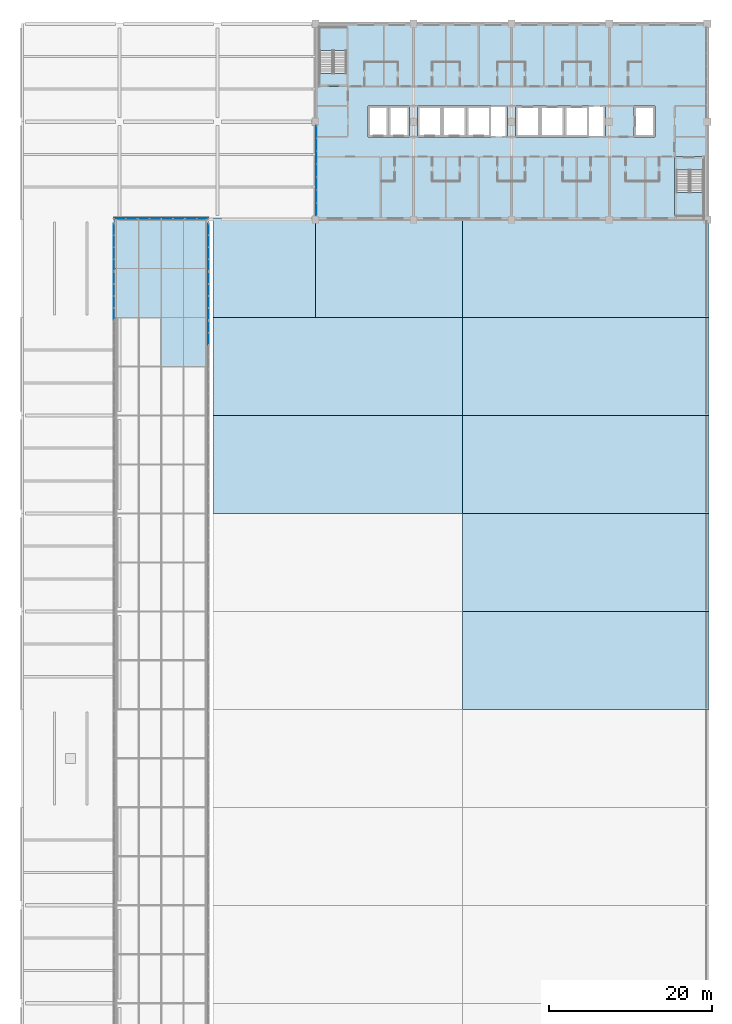
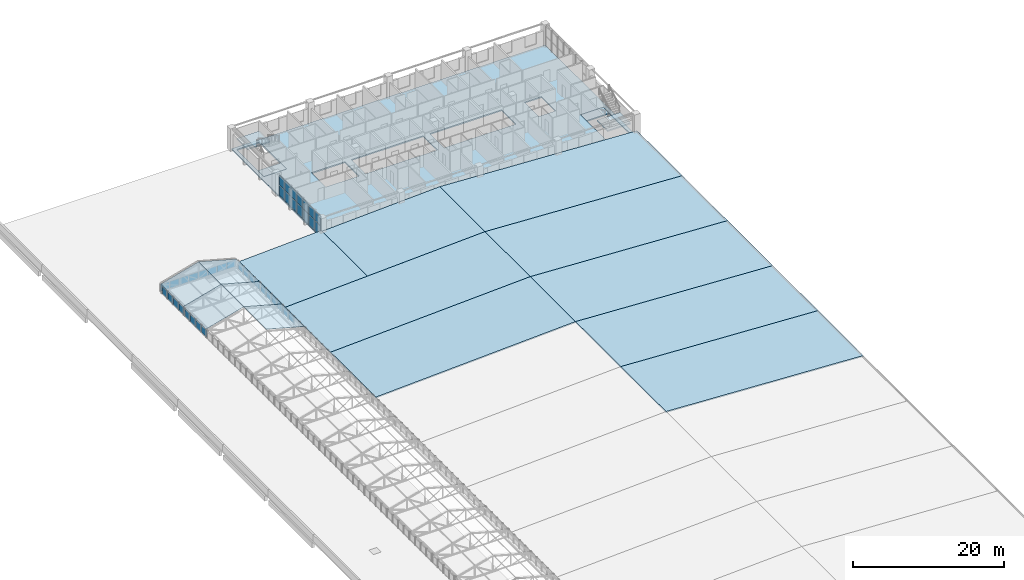
# One storey, part 84 of 94: 40 plates, 19 slabs, 9 elements without a shape of their own.
"""IFC4 building model written with IfcOpenShell, lengths in metres."""

from ifc_helpers import new_model, si_unit, direction, frame, origin, origin_2d, place, context, subcontext, project, spatial, polyline, rectangle, outline, extrude, material, layer, layer_set, type_object, element, aggregate, save


model = new_model("IFC4")

# Units and contexts
model_context = context("Model", 3, precision=1e-05, world=origin(), true_north=direction((0.0, 1.0)))
body_context = subcontext(model_context, "Body", "Model", "MODEL_VIEW")
ifc_project = project(units=[si_unit("LENGTHUNIT", "METRE"), si_unit("AREAUNIT", "SQUARE_METRE"), si_unit("VOLUMEUNIT", "CUBIC_METRE"), si_unit("PLANEANGLEUNIT", "RADIAN"), si_unit("MASSUNIT", "GRAM", prefix="KILO")], contexts=[model_context])

# Site, building, storey
site_placement = place(None, origin())
site = spatial("IfcSite", under=ifc_project, at=site_placement, CompositionType="ELEMENT")
building_placement = place(site_placement, origin())
building = spatial("IfcBuilding", under=site, at=building_placement, Name="Lilac Gate Convention Centre", CompositionType="ELEMENT")
storey_placement = place(building_placement, frame((0.0, 0.0, 21.0)))
storey = spatial("IfcBuildingStorey", under=building, at=storey_placement, Name="L04", CompositionType="ELEMENT", Elevation=21.0)

# Curtain wall, plates
ifc_material_1 = material(Name="Aluminium framed double glazing", Category="aluminium")
ifc_layer_1 = layer(ifc_material_1, 0.199951171875)
ifc_layer_set_1 = layer_set([ifc_layer_1], Name="Aluminium framed double glazing")
curtain_wall_type = type_object("IfcCurtainWallType", Name="Unitised curtain wall 1500", PredefinedType="NOTDEFINED", material=ifc_layer_set_1)
curtain_wall_1_placement = place(storey_placement, origin())
curtain_wall_1 = element("IfcCurtainWall", 1, at=curtain_wall_1_placement, inside=storey, type_object=curtain_wall_type, Name="Curtain wall W L04 2", PredefinedType="NOTDEFINED")
ifc_material_2 = material(Name="Double glazed unit low emissivity")
ifc_layer_2 = layer(ifc_material_2, 0.028076171875)
ifc_layer_set_2 = layer_set([ifc_layer_2], Name="Double glazed unit low emissivity")
plate_type_1 = type_object("IfcPlateType", Name="Curtain wall glass panel 28", PredefinedType="CURTAIN_PANEL", material=ifc_layer_set_2)
plate_1_placement = place(storey_placement, frame((42.10009765625, 232.7421875, 1.72998046875), z_axis=(0.0, 0.0, 1.0), x_axis=(0.0, -1.0, 0.0)))
plate_1 = element("IfcPlate", 2, at=plate_1_placement, type_object=plate_type_1, Name="CW panel 1.2", PredefinedType="CURTAIN_PANEL", context=body_context, shape_type="SweptSolid", body=[
    extrude(rectangle(XDim=1.495849609375, YDim=0.028076171875, at=origin_2d()), origin(), (0.0, 0.0, 1.0), 1.60986328125),
])
plate_2_placement = place(storey_placement, frame((42.10009765625, 231.17138671875, 1.72998046875), z_axis=(0.0, 0.0, 1.0), x_axis=(0.0, -1.0, 0.0)))
plate_2 = element("IfcPlate", 3, at=plate_2_placement, type_object=plate_type_1, Name="CW panel 2.2", PredefinedType="CURTAIN_PANEL", context=body_context, shape_type="SweptSolid", body=[
    extrude(rectangle(XDim=1.525634765625, YDim=0.028076171875, at=origin_2d()), origin(), (0.0, 0.0, 1.0), 1.60986328125),
])
plate_3_placement = place(storey_placement, frame((42.10009765625, 229.585693359375, 1.72998046875), z_axis=(0.0, 0.0, 1.0), x_axis=(0.0, -1.0, 0.0)))
plate_3 = element("IfcPlate", 4, at=plate_3_placement, type_object=plate_type_1, Name="CW panel 3.2", PredefinedType="CURTAIN_PANEL", context=body_context, shape_type="SweptSolid", body=[
    extrude(rectangle(XDim=1.525634765625, YDim=0.028076171875, at=origin_2d()), origin(), (0.0, 0.0, 1.0), 1.60986328125),
])
plate_4_placement = place(storey_placement, frame((42.10009765625, 228.0, 1.72998046875), z_axis=(0.0, 0.0, 1.0), x_axis=(0.0, -1.0, 0.0)))
plate_4 = element("IfcPlate", 5, at=plate_4_placement, type_object=plate_type_1, Name="CW panel 4.2", PredefinedType="CURTAIN_PANEL", context=body_context, shape_type="SweptSolid", body=[
    extrude(rectangle(XDim=1.525634765625, YDim=0.028076171875, at=origin_2d()), origin(), (0.0, 0.0, 1.0), 1.60986328125),
])
plate_5_placement = place(storey_placement, frame((42.10009765625, 226.414306640625, 1.72998046875), z_axis=(0.0, 0.0, 1.0), x_axis=(0.0, -1.0, 0.0)))
plate_5 = element("IfcPlate", 6, at=plate_5_placement, type_object=plate_type_1, Name="CW panel 5.2", PredefinedType="CURTAIN_PANEL", context=body_context, shape_type="SweptSolid", body=[
    extrude(rectangle(XDim=1.525634765625, YDim=0.028076171875, at=origin_2d()), origin(), (0.0, 0.0, 1.0), 1.60986328125),
])
plate_6_placement = place(storey_placement, frame((42.10009765625, 224.82861328125, 1.72998046875), z_axis=(0.0, 0.0, 1.0), x_axis=(0.0, -1.0, 0.0)))
plate_6 = element("IfcPlate", 7, at=plate_6_placement, type_object=plate_type_1, Name="CW panel 6.2", PredefinedType="CURTAIN_PANEL", context=body_context, shape_type="SweptSolid", body=[
    extrude(rectangle(XDim=1.525634765625, YDim=0.028076171875, at=origin_2d()), origin(), (0.0, 0.0, 1.0), 1.60986328125),
])
plate_7_placement = place(storey_placement, frame((42.10009765625, 223.2578125, 1.72998046875), z_axis=(0.0, 0.0, 1.0), x_axis=(0.0, -1.0, 0.0)))
plate_7 = element("IfcPlate", 8, at=plate_7_placement, type_object=plate_type_1, Name="CW panel 7.2", PredefinedType="CURTAIN_PANEL", context=body_context, shape_type="SweptSolid", body=[
    extrude(rectangle(XDim=1.495849609375, YDim=0.028076171875, at=origin_2d()), origin(), (0.0, 0.0, 1.0), 1.60986328125),
])

curtain_wall_2_placement = place(storey_placement, origin())
curtain_wall_2 = element("IfcCurtainWall", 9, at=curtain_wall_2_placement, inside=storey, type_object=curtain_wall_type, Name="Lantern clerestory W 31", PredefinedType="NOTDEFINED")
plate_8_placement = place(storey_placement, frame((17.300048828125, 210.44921875, 0.06005859375), z_axis=(0.0, 0.0, 1.0), x_axis=(0.0, 1.0, 0.0)))
plate_8 = element("IfcPlate", 10, at=plate_8_placement, type_object=plate_type_1, Name="CW panel 1.1", PredefinedType="CURTAIN_PANEL", context=body_context, shape_type="SweptSolid", body=[
    extrude(rectangle(XDim=1.378662109375, YDim=0.028076171875, at=origin_2d()), origin(), (0.0, 0.0, 1.0), 1.152099609375),
])
plate_9_placement = place(storey_placement, frame((17.300048828125, 211.903076171875, 0.06005859375), z_axis=(0.0, 0.0, 1.0), x_axis=(0.0, 1.0, 0.0)))
plate_9 = element("IfcPlate", 11, at=plate_9_placement, type_object=plate_type_1, Name="CW panel 2.1", PredefinedType="CURTAIN_PANEL", context=body_context, shape_type="SweptSolid", body=[
    extrude(rectangle(XDim=1.40869140625, YDim=0.028076171875, at=origin_2d()), origin(), (0.0, 0.0, 1.0), 1.152099609375),
])
plate_10_placement = place(storey_placement, frame((17.300048828125, 213.371826171875, 0.06005859375), z_axis=(0.0, 0.0, 1.0), x_axis=(0.0, 1.0, 0.0)))
plate_10 = element("IfcPlate", 12, at=plate_10_placement, type_object=plate_type_1, Name="CW panel 3.1", PredefinedType="CURTAIN_PANEL", context=body_context, shape_type="SweptSolid", body=[
    extrude(rectangle(XDim=1.40869140625, YDim=0.028076171875, at=origin_2d()), origin(), (0.0, 0.0, 1.0), 1.152099609375),
])
plate_11_placement = place(storey_placement, frame((17.300048828125, 214.82568359375, 0.06005859375), z_axis=(0.0, 0.0, 1.0), x_axis=(0.0, 1.0, 0.0)))
plate_11 = element("IfcPlate", 13, at=plate_11_placement, type_object=plate_type_1, Name="CW panel 4.1", PredefinedType="CURTAIN_PANEL", context=body_context, shape_type="SweptSolid", body=[
    extrude(rectangle(XDim=1.378662109375, YDim=0.028076171875, at=origin_2d()), origin(), (0.0, 0.0, 1.0), 1.152099609375),
])
aggregate(curtain_wall_2, [plate_8, plate_9, plate_10, plate_11])

curtain_wall_3_placement = place(storey_placement, origin())
curtain_wall_3 = element("IfcCurtainWall", 14, at=curtain_wall_3_placement, inside=storey, type_object=curtain_wall_type, Name="Lantern clerestory W 32", PredefinedType="NOTDEFINED")
plate_12_placement = place(storey_placement, frame((17.300048828125, 216.42431640625, 0.06005859375), z_axis=(0.0, 0.0, 1.0), x_axis=(0.0, 1.0, 0.0)))
plate_12 = element("IfcPlate", 15, at=plate_12_placement, type_object=plate_type_1, Name="CW panel 1.1", PredefinedType="CURTAIN_PANEL", context=body_context, shape_type="SweptSolid", body=[
    extrude(rectangle(XDim=1.378662109375, YDim=0.028076171875, at=origin_2d()), origin(), (0.0, 0.0, 1.0), 1.152099609375),
])
plate_13_placement = place(storey_placement, frame((17.300048828125, 217.878173828125, 0.06005859375), z_axis=(0.0, 0.0, 1.0), x_axis=(0.0, 1.0, 0.0)))
plate_13 = element("IfcPlate", 16, at=plate_13_placement, type_object=plate_type_1, Name="CW panel 2.1", PredefinedType="CURTAIN_PANEL", context=body_context, shape_type="SweptSolid", body=[
    extrude(rectangle(XDim=1.40869140625, YDim=0.028076171875, at=origin_2d()), origin(), (0.0, 0.0, 1.0), 1.152099609375),
])
plate_14_placement = place(storey_placement, frame((17.300048828125, 219.346923828125, 0.06005859375), z_axis=(0.0, 0.0, 1.0), x_axis=(0.0, 1.0, 0.0)))
plate_14 = element("IfcPlate", 17, at=plate_14_placement, type_object=plate_type_1, Name="CW panel 3.1", PredefinedType="CURTAIN_PANEL", context=body_context, shape_type="SweptSolid", body=[
    extrude(rectangle(XDim=1.40869140625, YDim=0.028076171875, at=origin_2d()), origin(), (0.0, 0.0, 1.0), 1.152099609375),
])
plate_15_placement = place(storey_placement, frame((17.300048828125, 220.80078125, 0.06005859375), z_axis=(0.0, 0.0, 1.0), x_axis=(0.0, 1.0, 0.0)))
plate_15 = element("IfcPlate", 18, at=plate_15_placement, type_object=plate_type_1, Name="CW panel 4.1", PredefinedType="CURTAIN_PANEL", context=body_context, shape_type="SweptSolid", body=[
    extrude(rectangle(XDim=1.378662109375, YDim=0.028076171875, at=origin_2d()), origin(), (0.0, 0.0, 1.0), 1.152099609375),
])
aggregate(curtain_wall_3, [plate_12, plate_13, plate_14, plate_15])

curtain_wall_4_placement = place(storey_placement, origin())
curtain_wall_4 = element("IfcCurtainWall", 19, at=curtain_wall_4_placement, inside=storey, type_object=curtain_wall_type, Name="Lantern clerestory E 30", PredefinedType="NOTDEFINED")
plate_16_placement = place(storey_placement, frame((28.89990234375, 207.39697265625, 0.06005859375), z_axis=(0.0, 0.0, 1.0), x_axis=(0.0, 1.0, 0.0)))
plate_16 = element("IfcPlate", 20, at=plate_16_placement, type_object=plate_type_1, Name="CW panel 3.1", PredefinedType="CURTAIN_PANEL", context=body_context, shape_type="SweptSolid", body=[
    extrude(rectangle(XDim=1.40869140625, YDim=0.028076171875, at=origin_2d()), origin(), (0.0, 0.0, 1.0), 1.152099609375),
])
plate_17_placement = place(storey_placement, frame((28.89990234375, 208.850830078125, 0.06005859375), z_axis=(0.0, 0.0, 1.0), x_axis=(0.0, 1.0, 0.0)))
plate_17 = element("IfcPlate", 21, at=plate_17_placement, type_object=plate_type_1, Name="CW panel 4.1", PredefinedType="CURTAIN_PANEL", context=body_context, shape_type="SweptSolid", body=[
    extrude(rectangle(XDim=1.378662109375, YDim=0.028076171875, at=origin_2d()), origin(), (0.0, 0.0, 1.0), 1.152099609375),
])
aggregate(curtain_wall_4, [plate_16, plate_17])

curtain_wall_5_placement = place(storey_placement, origin())
curtain_wall_5 = element("IfcCurtainWall", 22, at=curtain_wall_5_placement, inside=storey, type_object=curtain_wall_type, Name="Lantern clerestory E 31", PredefinedType="NOTDEFINED")
plate_18_placement = place(storey_placement, frame((28.89990234375, 210.44921875, 0.06005859375), z_axis=(0.0, 0.0, 1.0), x_axis=(0.0, 1.0, 0.0)))
plate_18 = element("IfcPlate", 23, at=plate_18_placement, type_object=plate_type_1, Name="CW panel 1.1", PredefinedType="CURTAIN_PANEL", context=body_context, shape_type="SweptSolid", body=[
    extrude(rectangle(XDim=1.378662109375, YDim=0.028076171875, at=origin_2d()), origin(), (0.0, 0.0, 1.0), 1.152099609375),
])
plate_19_placement = place(storey_placement, frame((28.89990234375, 211.903076171875, 0.06005859375), z_axis=(0.0, 0.0, 1.0), x_axis=(0.0, 1.0, 0.0)))
plate_19 = element("IfcPlate", 24, at=plate_19_placement, type_object=plate_type_1, Name="CW panel 2.1", PredefinedType="CURTAIN_PANEL", context=body_context, shape_type="SweptSolid", body=[
    extrude(rectangle(XDim=1.40869140625, YDim=0.028076171875, at=origin_2d()), origin(), (0.0, 0.0, 1.0), 1.152099609375),
])
plate_20_placement = place(storey_placement, frame((28.89990234375, 213.371826171875, 0.06005859375), z_axis=(0.0, 0.0, 1.0), x_axis=(0.0, 1.0, 0.0)))
plate_20 = element("IfcPlate", 25, at=plate_20_placement, type_object=plate_type_1, Name="CW panel 3.1", PredefinedType="CURTAIN_PANEL", context=body_context, shape_type="SweptSolid", body=[
    extrude(rectangle(XDim=1.40869140625, YDim=0.028076171875, at=origin_2d()), origin(), (0.0, 0.0, 1.0), 1.152099609375),
])
plate_21_placement = place(storey_placement, frame((28.89990234375, 214.82568359375, 0.06005859375), z_axis=(0.0, 0.0, 1.0), x_axis=(0.0, 1.0, 0.0)))
plate_21 = element("IfcPlate", 26, at=plate_21_placement, type_object=plate_type_1, Name="CW panel 4.1", PredefinedType="CURTAIN_PANEL", context=body_context, shape_type="SweptSolid", body=[
    extrude(rectangle(XDim=1.378662109375, YDim=0.028076171875, at=origin_2d()), origin(), (0.0, 0.0, 1.0), 1.152099609375),
])
aggregate(curtain_wall_5, [plate_18, plate_19, plate_20, plate_21])

curtain_wall_6_placement = place(storey_placement, origin())
curtain_wall_6 = element("IfcCurtainWall", 27, at=curtain_wall_6_placement, inside=storey, type_object=curtain_wall_type, Name="Lantern clerestory E 32", PredefinedType="NOTDEFINED")
plate_22_placement = place(storey_placement, frame((28.89990234375, 216.42431640625, 0.06005859375), z_axis=(0.0, 0.0, 1.0), x_axis=(0.0, 1.0, 0.0)))
plate_22 = element("IfcPlate", 28, at=plate_22_placement, type_object=plate_type_1, Name="CW panel 1.1", PredefinedType="CURTAIN_PANEL", context=body_context, shape_type="SweptSolid", body=[
    extrude(rectangle(XDim=1.378662109375, YDim=0.028076171875, at=origin_2d()), origin(), (0.0, 0.0, 1.0), 1.152099609375),
])
plate_23_placement = place(storey_placement, frame((28.89990234375, 217.878173828125, 0.06005859375), z_axis=(0.0, 0.0, 1.0), x_axis=(0.0, 1.0, 0.0)))
plate_23 = element("IfcPlate", 29, at=plate_23_placement, type_object=plate_type_1, Name="CW panel 2.1", PredefinedType="CURTAIN_PANEL", context=body_context, shape_type="SweptSolid", body=[
    extrude(rectangle(XDim=1.40869140625, YDim=0.028076171875, at=origin_2d()), origin(), (0.0, 0.0, 1.0), 1.152099609375),
])
plate_24_placement = place(storey_placement, frame((28.89990234375, 219.346923828125, 0.06005859375), z_axis=(0.0, 0.0, 1.0), x_axis=(0.0, 1.0, 0.0)))
plate_24 = element("IfcPlate", 30, at=plate_24_placement, type_object=plate_type_1, Name="CW panel 3.1", PredefinedType="CURTAIN_PANEL", context=body_context, shape_type="SweptSolid", body=[
    extrude(rectangle(XDim=1.40869140625, YDim=0.028076171875, at=origin_2d()), origin(), (0.0, 0.0, 1.0), 1.152099609375),
])
plate_25_placement = place(storey_placement, frame((28.89990234375, 220.80078125, 0.06005859375), z_axis=(0.0, 0.0, 1.0), x_axis=(0.0, 1.0, 0.0)))
plate_25 = element("IfcPlate", 31, at=plate_25_placement, type_object=plate_type_1, Name="CW panel 4.1", PredefinedType="CURTAIN_PANEL", context=body_context, shape_type="SweptSolid", body=[
    extrude(rectangle(XDim=1.378662109375, YDim=0.028076171875, at=origin_2d()), origin(), (0.0, 0.0, 1.0), 1.152099609375),
])
aggregate(curtain_wall_6, [plate_22, plate_23, plate_24, plate_25])

curtain_wall_7_placement = place(storey_placement, origin())
curtain_wall_7 = element("IfcCurtainWall", 32, at=curtain_wall_7_placement, inside=storey, type_object=curtain_wall_type, Name="Lantern end glazing N", PredefinedType="NOTDEFINED")
plate_26_placement = place(storey_placement, frame((18.0400390625, 222.1201171875, 0.06005859375), z_axis=(0.0, 0.0, 1.0), x_axis=(1.0, 0.0, 0.0)))
plate_26 = element("IfcPlate", 33, at=plate_26_placement, type_object=plate_type_1, Name="CW panel 1.1", PredefinedType="CURTAIN_PANEL", context=body_context, shape_type="SweptSolid", body=[
    extrude(rectangle(XDim=1.35986328125, YDim=0.028076171875, at=origin_2d()), origin(), (0.0, 0.0, 1.0), 1.10205078125),
])
plate_27_placement = place(storey_placement, frame((19.47509765625, 222.1201171875, 0.06005859375), z_axis=(0.0, 0.0, 1.0), x_axis=(1.0, 0.0, 0.0)))
plate_27 = element("IfcPlate", 34, at=plate_27_placement, type_object=plate_type_1, Name="CW panel 2.1", PredefinedType="CURTAIN_PANEL", context=body_context, shape_type="SweptSolid", body=[
    extrude(rectangle(XDim=1.389892578125, YDim=0.028076171875, at=origin_2d()), origin(), (0.0, 0.0, 1.0), 1.10205078125),
])
plate_28_placement = place(storey_placement, frame((20.925048828125, 222.1201171875, 0.06005859375), z_axis=(0.0, 0.0, 1.0), x_axis=(1.0, 0.0, 0.0)))
plate_28 = element("IfcPlate", 35, at=plate_28_placement, type_object=plate_type_1, Name="CW panel 3.1", PredefinedType="CURTAIN_PANEL", context=body_context, shape_type="SweptSolid", body=[
    extrude(rectangle(XDim=1.389892578125, YDim=0.028076171875, at=origin_2d()), origin(), (0.0, 0.0, 1.0), 1.10205078125),
])
plate_29_placement = place(storey_placement, frame((22.375, 222.1201171875, 0.06005859375), z_axis=(0.0, 0.0, 1.0), x_axis=(1.0, 0.0, 0.0)))
plate_29 = element("IfcPlate", 36, at=plate_29_placement, type_object=plate_type_1, Name="CW panel 4.1", PredefinedType="CURTAIN_PANEL", context=body_context, shape_type="SweptSolid", body=[
    extrude(rectangle(XDim=1.389892578125, YDim=0.028076171875, at=origin_2d()), origin(), (0.0, 0.0, 1.0), 1.10205078125),
])
plate_30_placement = place(storey_placement, frame((23.824951171875, 222.1201171875, 0.06005859375), z_axis=(0.0, 0.0, 1.0), x_axis=(1.0, 0.0, 0.0)))
plate_30 = element("IfcPlate", 37, at=plate_30_placement, type_object=plate_type_1, Name="CW panel 5.1", PredefinedType="CURTAIN_PANEL", context=body_context, shape_type="SweptSolid", body=[
    extrude(rectangle(XDim=1.389892578125, YDim=0.028076171875, at=origin_2d()), origin(), (0.0, 0.0, 1.0), 1.10205078125),
])
plate_31_placement = place(storey_placement, frame((25.27490234375, 222.1201171875, 0.06005859375), z_axis=(0.0, 0.0, 1.0), x_axis=(1.0, 0.0, 0.0)))
plate_31 = element("IfcPlate", 38, at=plate_31_placement, type_object=plate_type_1, Name="CW panel 6.1", PredefinedType="CURTAIN_PANEL", context=body_context, shape_type="SweptSolid", body=[
    extrude(rectangle(XDim=1.389892578125, YDim=0.028076171875, at=origin_2d()), origin(), (0.0, 0.0, 1.0), 1.10205078125),
])
plate_32_placement = place(storey_placement, frame((26.724853515625, 222.1201171875, 0.06005859375), z_axis=(0.0, 0.0, 1.0), x_axis=(1.0, 0.0, 0.0)))
plate_32 = element("IfcPlate", 39, at=plate_32_placement, type_object=plate_type_1, Name="CW panel 7.1", PredefinedType="CURTAIN_PANEL", context=body_context, shape_type="SweptSolid", body=[
    extrude(rectangle(XDim=1.389892578125, YDim=0.028076171875, at=origin_2d()), origin(), (0.0, 0.0, 1.0), 1.10205078125),
])
plate_33_placement = place(storey_placement, frame((28.159912109375, 222.1201171875, 0.06005859375), z_axis=(0.0, 0.0, 1.0), x_axis=(1.0, 0.0, 0.0)))
plate_33 = element("IfcPlate", 40, at=plate_33_placement, type_object=plate_type_1, Name="CW panel 8.1", PredefinedType="CURTAIN_PANEL", context=body_context, shape_type="SweptSolid", body=[
    extrude(rectangle(XDim=1.35986328125, YDim=0.028076171875, at=origin_2d()), origin(), (0.0, 0.0, 1.0), 1.10205078125),
])
aggregate(curtain_wall_7, [plate_26, plate_27, plate_28, plate_29, plate_30, plate_31, plate_32, plate_33])

# Plate
ifc_material_3 = material(Name="Insulated aluminium spandrel panel", Category="aluminium")
ifc_layer_3 = layer(ifc_material_3, 0.028076171875)
ifc_layer_set_3 = layer_set([ifc_layer_3], Name="Insulated aluminium spandrel panel")
plate_type_2 = type_object("IfcPlateType", Name="Curtain wall spandrel panel 28", PredefinedType="CURTAIN_PANEL", material=ifc_layer_set_3)
plate_34_placement = place(storey_placement, frame((42.10009765625, 232.7421875, 0.06005859375), z_axis=(0.0, 0.0, 1.0), x_axis=(0.0, -1.0, 0.0)))
plate_34 = element("IfcPlate", 41, at=plate_34_placement, type_object=plate_type_2, Name="CW spandrel 1.1", PredefinedType="CURTAIN_PANEL", context=body_context, shape_type="SweptSolid", body=[
    extrude(rectangle(XDim=1.495849609375, YDim=0.028076171875, at=origin_2d()), origin(), (0.0, 0.0, 1.0), 1.610107421875),
])

plate_35_placement = place(storey_placement, frame((42.10009765625, 231.17138671875, 0.06005859375), z_axis=(0.0, 0.0, 1.0), x_axis=(0.0, -1.0, 0.0)))
plate_35 = element("IfcPlate", 42, at=plate_35_placement, type_object=plate_type_2, Name="CW spandrel 2.1", PredefinedType="CURTAIN_PANEL", context=body_context, shape_type="SweptSolid", body=[
    extrude(rectangle(XDim=1.525634765625, YDim=0.028076171875, at=origin_2d()), origin(), (0.0, 0.0, 1.0), 1.610107421875),
])

plate_36_placement = place(storey_placement, frame((42.10009765625, 229.585693359375, 0.06005859375), z_axis=(0.0, 0.0, 1.0), x_axis=(0.0, -1.0, 0.0)))
plate_36 = element("IfcPlate", 43, at=plate_36_placement, type_object=plate_type_2, Name="CW spandrel 3.1", PredefinedType="CURTAIN_PANEL", context=body_context, shape_type="SweptSolid", body=[
    extrude(rectangle(XDim=1.525634765625, YDim=0.028076171875, at=origin_2d()), origin(), (0.0, 0.0, 1.0), 1.610107421875),
])

plate_37_placement = place(storey_placement, frame((42.10009765625, 228.0, 0.06005859375), z_axis=(0.0, 0.0, 1.0), x_axis=(0.0, -1.0, 0.0)))
plate_37 = element("IfcPlate", 44, at=plate_37_placement, type_object=plate_type_2, Name="CW spandrel 4.1", PredefinedType="CURTAIN_PANEL", context=body_context, shape_type="SweptSolid", body=[
    extrude(rectangle(XDim=1.525634765625, YDim=0.028076171875, at=origin_2d()), origin(), (0.0, 0.0, 1.0), 1.610107421875),
])

plate_38_placement = place(storey_placement, frame((42.10009765625, 226.414306640625, 0.06005859375), z_axis=(0.0, 0.0, 1.0), x_axis=(0.0, -1.0, 0.0)))
plate_38 = element("IfcPlate", 45, at=plate_38_placement, type_object=plate_type_2, Name="CW spandrel 5.1", PredefinedType="CURTAIN_PANEL", context=body_context, shape_type="SweptSolid", body=[
    extrude(rectangle(XDim=1.525634765625, YDim=0.028076171875, at=origin_2d()), origin(), (0.0, 0.0, 1.0), 1.610107421875),
])

plate_39_placement = place(storey_placement, frame((42.10009765625, 224.82861328125, 0.06005859375), z_axis=(0.0, 0.0, 1.0), x_axis=(0.0, -1.0, 0.0)))
plate_39 = element("IfcPlate", 46, at=plate_39_placement, type_object=plate_type_2, Name="CW spandrel 6.1", PredefinedType="CURTAIN_PANEL", context=body_context, shape_type="SweptSolid", body=[
    extrude(rectangle(XDim=1.525634765625, YDim=0.028076171875, at=origin_2d()), origin(), (0.0, 0.0, 1.0), 1.610107421875),
])

plate_40_placement = place(storey_placement, frame((42.10009765625, 223.2578125, 0.06005859375), z_axis=(0.0, 0.0, 1.0), x_axis=(0.0, -1.0, 0.0)))
plate_40 = element("IfcPlate", 47, at=plate_40_placement, type_object=plate_type_2, Name="CW spandrel 7.1", PredefinedType="CURTAIN_PANEL", context=body_context, shape_type="SweptSolid", body=[
    extrude(rectangle(XDim=1.495849609375, YDim=0.028076171875, at=origin_2d()), origin(), (0.0, 0.0, 1.0), 1.610107421875),
])

aggregate(curtain_wall_1, [plate_34, plate_1, plate_35, plate_2, plate_36, plate_3, plate_37, plate_4, plate_38, plate_5, plate_39, plate_6, plate_40, plate_7])

# Stair, slabs
ifc_material_4 = material(Name="Concrete C40", Category="concrete")
stair_type = type_object("IfcStairType", Name="Exit stair", PredefinedType="DOUBLE_RETURN_STAIR", material=ifc_material_4)
stair_1_placement = place(storey_placement, origin())
stair_1 = element("IfcStair", 48, at=stair_1_placement, inside=storey, type_object=stair_type, Name="Exit stair NW L04", PredefinedType="DOUBLE_RETURN_STAIR")
ifc_layer_4 = layer(ifc_material_4, 0.199951171875)
ifc_layer_set_4 = layer_set([ifc_layer_4], Name="Concrete C40")
slab_type_1 = type_object("IfcSlabType", Name="Exit stair landing", PredefinedType="LANDING", material=ifc_layer_set_4)
slab_1_placement = place(storey_placement, frame((0.0, 0.0, -0.199951171875)))
slab_1 = element("IfcSlab", 49, at=slab_1_placement, type_object=slab_type_1, Name="ST-NW landing 1", PredefinedType="LANDING", context=body_context, shape_type="SweptSolid", body=[
    extrude(outline(polyline([(42.5, 238.300048828125), (46.0, 238.300048828125), (46.0, 239.89990234375), (42.5, 239.89990234375), (42.5, 238.300048828125)])), origin(), (0.0, 0.0, 1.0), 0.199951171875),
])
slab_2_placement = place(storey_placement, frame((0.0, 0.0, 1.60009765625)))
slab_2 = element("IfcSlab", 50, at=slab_2_placement, type_object=slab_type_1, Name="ST-NW landing 2", PredefinedType="LANDING", context=body_context, shape_type="SweptSolid", body=[
    extrude(outline(polyline([(42.5, 242.699951171875), (46.0, 242.699951171875), (46.0, 245.5), (42.5, 245.5), (42.5, 242.699951171875)])), origin(), (0.0, 0.0, 1.0), 0.199951171875),
])
aggregate(stair_1, [slab_1, slab_2])

stair_2_placement = place(storey_placement, origin())
stair_2 = element("IfcStair", 51, at=stair_2_placement, inside=storey, type_object=stair_type, Name="Exit stair SE L04", PredefinedType="DOUBLE_RETURN_STAIR")
slab_3_placement = place(storey_placement, frame((0.0, 0.0, -0.199951171875)))
slab_3 = element("IfcSlab", 52, at=slab_3_placement, type_object=slab_type_1, Name="ST-SE landing 1", PredefinedType="LANDING", context=body_context, shape_type="SweptSolid", body=[
    extrude(outline(polyline([(86.0, 228.10009765625), (89.5, 228.10009765625), (89.5, 229.699951171875), (86.0, 229.699951171875), (86.0, 228.10009765625)])), origin(), (0.0, 0.0, 1.0), 0.199951171875),
])
slab_4_placement = place(storey_placement, frame((0.0, 0.0, 1.60009765625)))
slab_4 = element("IfcSlab", 53, at=slab_4_placement, type_object=slab_type_1, Name="ST-SE landing 2", PredefinedType="LANDING", context=body_context, shape_type="SweptSolid", body=[
    extrude(outline(polyline([(86.0, 222.5), (89.5, 222.5), (89.5, 225.300048828125), (86.0, 225.300048828125), (86.0, 222.5)])), origin(), (0.0, 0.0, 1.0), 0.199951171875),
])
aggregate(stair_2, [slab_3, slab_4])

# Slabs
ifc_layer_5 = layer(ifc_material_4, 0.199951171875)
ifc_layer_set_5 = layer_set([ifc_layer_5], Name="Concrete C40")
slab_type_2 = type_object("IfcSlabType", Name="Floor slab 200 C40", PredefinedType="FLOOR", material=ifc_layer_set_5)
slab_5_placement = place(storey_placement, frame((0.0, 0.0, -0.199951171875)))
element("IfcSlab", 54, at=slab_5_placement, inside=storey, type_object=slab_type_2, Name="FS3 slab L04 1", PredefinedType="FLOOR", context=body_context, shape_type="SweptSolid", body=[
    extrude(outline(polyline([(42.0, 222.0), (42.0, 246.0), (90.0, 246.0), (90.0, 222.0), (42.0, 222.0)]), holes=[polyline([(48.39990234375, 235.89990234375), (48.39990234375, 232.10009765625), (50.949951171875, 232.10009765625), (53.5, 232.10009765625), (53.5, 235.89990234375), (50.949951171875, 235.89990234375), (48.39990234375, 235.89990234375)]), polyline([(57.5, 235.89990234375), (54.5, 235.89990234375), (54.5, 232.10009765625), (57.5, 232.10009765625), (60.5, 232.10009765625), (63.5, 232.10009765625), (65.5, 232.10009765625), (65.5, 235.89990234375), (63.5, 235.89990234375), (60.5, 235.89990234375), (57.5, 235.89990234375)]), polyline([(42.5, 245.5), (42.5, 238.300048828125), (46.0, 238.300048828125), (46.0, 245.5), (42.5, 245.5)]), polyline([(89.5, 229.699951171875), (86.0, 229.699951171875), (86.0, 222.5), (89.5, 222.5), (89.5, 229.699951171875)]), polyline([(69.5, 235.89990234375), (66.5, 235.89990234375), (66.5, 232.10009765625), (69.5, 232.10009765625), (72.5, 232.10009765625), (75.5, 232.10009765625), (77.5, 232.10009765625), (77.5, 235.89990234375), (75.5, 235.89990234375), (72.5, 235.89990234375), (69.5, 235.89990234375)]), polyline([(83.60009765625, 235.89990234375), (81.0, 235.89990234375), (81.0, 232.10009765625), (83.60009765625, 232.10009765625), (83.60009765625, 235.89990234375)])]), origin(), (0.0, 0.0, 1.0), 0.199951171875),
])
ifc_material_5 = material(Name="Low emissivity safety glass, bonded interlayer", Category="glass")
ifc_layer_6 = layer(ifc_material_5, 0.0400390625)
ifc_layer_set_6 = layer_set([ifc_layer_6], Name="Low emissivity safety glass, bonded interlayer")
slab_type_3 = type_object("IfcSlabType", Name="Lantern glazing panel 40", PredefinedType="ROOF", material=ifc_layer_set_6)
slab_6_placement = place(storey_placement, frame((23.10009765625, 204.0, 2.8955078125), z_axis=(0.263120842134, 0.0, 0.964762884047), x_axis=(0.964762884047, 0.0, -0.263120842134)))
element("IfcSlab", 55, at=slab_6_placement, inside=storey, type_object=slab_type_3, Name="Lantern glazing E 30", PredefinedType="ROOF", context=body_context, shape_type="SweptSolid", body=[
    extrude(outline(polyline([(0.0, 0.0), (6.011637453517294, 0.0), (6.011637453517294, 6.0), (0.0, 6.0), (0.0, 0.0)])), origin(), (0.0, 0.0, -1.0), 0.0400390625),
])
slab_7_placement = place(storey_placement, frame((17.300048828125, 210.0, 1.313720703125), z_axis=(-0.263110533367, 0.0, 0.964765695509), x_axis=(0.964765695509, 0.0, 0.263110533367)))
element("IfcSlab", 56, at=slab_7_placement, inside=storey, type_object=slab_type_3, Name="Lantern glazing W 31", PredefinedType="ROOF", context=body_context, shape_type="SweptSolid", body=[
    extrude(outline(polyline([(0.0, 0.0), (6.011872991673984, 0.0), (6.011872991673984, 5.999999999999999), (0.0, 5.999999999999999), (0.0, 0.0)])), origin(), (0.0, 0.0, -1.0), 0.0400390625),
])
slab_8_placement = place(storey_placement, frame((23.10009765625, 210.0, 2.8955078125), z_axis=(0.263120842134, 0.0, 0.964762884047), x_axis=(0.964762884047, 0.0, -0.263120842134)))
element("IfcSlab", 57, at=slab_8_placement, inside=storey, type_object=slab_type_3, Name="Lantern glazing E 31", PredefinedType="ROOF", context=body_context, shape_type="SweptSolid", body=[
    extrude(outline(polyline([(0.0, 0.0), (6.011637453517294, 0.0), (6.011637453517294, 6.0), (0.0, 6.0), (0.0, 0.0)])), origin(), (0.0, 0.0, -1.0), 0.0400390625),
])
slab_9_placement = place(storey_placement, frame((17.300048828125, 216.0, 1.313720703125), z_axis=(-0.263110533367, 0.0, 0.964765695509), x_axis=(0.964765695509, 0.0, 0.263110533367)))
element("IfcSlab", 58, at=slab_9_placement, inside=storey, type_object=slab_type_3, Name="Lantern glazing W 32", PredefinedType="ROOF", context=body_context, shape_type="SweptSolid", body=[
    extrude(outline(polyline([(0.0, 0.0), (6.011872991673984, 0.0), (6.011872991673984, 5.999999999999999), (0.0, 5.999999999999999), (0.0, 0.0)])), origin(), (0.0, 0.0, -1.0), 0.0400390625),
])
slab_10_placement = place(storey_placement, frame((23.10009765625, 216.0, 2.8955078125), z_axis=(0.263120842134, 0.0, 0.964762884047), x_axis=(0.964762884047, 0.0, -0.263120842134)))
element("IfcSlab", 59, at=slab_10_placement, inside=storey, type_object=slab_type_3, Name="Lantern glazing E 32", PredefinedType="ROOF", context=body_context, shape_type="SweptSolid", body=[
    extrude(outline(polyline([(0.0, 0.0), (6.011637453517294, 0.0), (6.011637453517294, 6.0), (0.0, 6.0), (0.0, 0.0)])), origin(), (0.0, 0.0, -1.0), 0.0400390625),
])
ifc_material_6 = material(Name="Galvanised steel liner sheet", Category="steel")
ifc_layer_7 = layer(ifc_material_6, 0.001953125)
ifc_material_7 = material(Name="Mineral wool insulation")
ifc_layer_8 = layer(ifc_material_7, 0.196044921875)
ifc_material_8 = material(Name="Ochre coated steel sheet", Category="steel")
ifc_layer_9 = layer(ifc_material_8, 0.001953125)
ifc_layer_set_7 = layer_set([ifc_layer_7, ifc_layer_8, ifc_layer_9], Name="Galvanised steel liner sheet, Mineral wool insulation, Ochre coated steel sheet")
slab_type_4 = type_object("IfcSlabType", Name="Roof cover panel ochre 200", PredefinedType="ROOF", material=ifc_layer_set_7)
slab_11_placement = place(storey_placement, frame((29.449951171875, 198.0, 0.597900390625), z_axis=(-0.049940403511, 0.0, 0.998752199546), x_axis=(0.998752199546, 0.0, 0.049940403511)))
element("IfcSlab", 60, at=slab_11_placement, inside=storey, type_object=slab_type_4, Name="Hall roof panel 15.1", PredefinedType="ROOF", context=body_context, shape_type="SweptSolid", body=[
    extrude(outline(polyline([(0.0, 0.0), (30.588216818971414, 0.0), (30.588216818971414, 11.999999999999998), (0.0, 11.999999999999998), (0.0, 0.0)])), origin(), (0.0, 0.0, -1.0), 0.199951171875),
])
slab_12_placement = place(storey_placement, frame((60.0, 198.0, 2.12548828125), z_axis=(0.04993801964, 0.0, 0.998752318743), x_axis=(0.998752318743, 0.0, -0.04993801964)))
element("IfcSlab", 61, at=slab_12_placement, inside=storey, type_object=slab_type_4, Name="Hall roof panel 15.2", PredefinedType="ROOF", context=body_context, shape_type="SweptSolid", body=[
    extrude(outline(polyline([(0.0, 0.0), (30.237678156166638, 0.0), (30.237678156166638, 12.0), (0.0, 12.0), (0.0, 0.0)])), origin(), (0.0, 0.0, -1.0), 0.199951171875),
])
slab_13_placement = place(storey_placement, frame((29.449951171875, 210.0, 0.597900390625), z_axis=(-0.049952152406, 0.0, 0.998751611999), x_axis=(0.998751611999, 0.0, 0.049952152406)))
element("IfcSlab", 62, at=slab_13_placement, inside=storey, type_object=slab_type_4, Name="Hall roof panel 16.1", PredefinedType="ROOF", context=body_context, shape_type="SweptSolid", body=[
    extrude(outline(polyline([(0.0, 0.0), (12.565735741852821, 0.0), (12.565735741852821, 12.199951171875), (0.0, 12.199951171875), (0.0, 0.0)])), origin(), (0.0, 0.0, -1.0), 0.199951171875),
])
slab_14_placement = place(storey_placement, frame((42.0, 210.0, 1.2255859375), z_axis=(-0.049932211876, 0.0, 0.998752609117), x_axis=(0.998752609117, 0.0, 0.049932211876)))
element("IfcSlab", 63, at=slab_14_placement, inside=storey, type_object=slab_type_4, Name="Hall roof panel 16.2", PredefinedType="ROOF", context=body_context, shape_type="SweptSolid", body=[
    extrude(outline(polyline([(0.0, 0.0), (18.02248107859422, 0.0), (18.02248107859422, 12.0), (0.0, 12.0), (0.0, 0.0)])), origin(), (0.0, 0.0, -1.0), 0.199951171875),
])
slab_15_placement = place(storey_placement, frame((60.0, 210.0, 2.12548828125), z_axis=(0.04993801964, 0.0, 0.998752318743), x_axis=(0.998752318743, 0.0, -0.04993801964)))
element("IfcSlab", 64, at=slab_15_placement, inside=storey, type_object=slab_type_4, Name="Hall roof panel 16.3", PredefinedType="ROOF", context=body_context, shape_type="SweptSolid", body=[
    extrude(outline(polyline([(0.0, 0.0), (30.237678156166638, 0.0), (30.237678156166638, 12.0), (0.0, 12.0), (0.0, 0.0)])), origin(), (0.0, 0.0, -1.0), 0.199951171875),
])
ifc_layer_10 = layer(ifc_material_6, 0.001953125)
ifc_layer_11 = layer(ifc_material_7, 0.196044921875)
ifc_material_9 = material(Name="Teal coated steel sheet", Category="steel")
ifc_layer_12 = layer(ifc_material_9, 0.001953125)
ifc_layer_set_8 = layer_set([ifc_layer_10, ifc_layer_11, ifc_layer_12], Name="Galvanised steel liner sheet, Mineral wool insulation, Teal coated steel sheet")
slab_type_5 = type_object("IfcSlabType", Name="Roof cover panel teal 200", PredefinedType="ROOF", material=ifc_layer_set_8)
for number, where, z_axis, x_axis, name in (
    (65, (60.0, 162.0, 2.12548828125), (0.04993801964, 0.0, 0.998752318743), (0.998752318743, 0.0, -0.04993801964), "Hall roof panel 12.2"),
    (66, (60.0, 174.0, 2.12548828125), (0.04993801964, 0.0, 0.998752318743), (0.998752318743, 0.0, -0.04993801964), "Hall roof panel 13.2"),
):
    element("IfcSlab", number, at=place(storey_placement, frame(where, z_axis=z_axis, x_axis=x_axis)), inside=storey, type_object=slab_type_5, Name=name, PredefinedType="ROOF", context=body_context, shape_type="SweptSolid", body=[
        extrude(outline(polyline([(0.0, 0.0), (30.237678156166638, 0.0), (30.237678156166638, 12.0), (0.0, 12.0), (0.0, 0.0)])), origin(), (0.0, 0.0, -1.0), 0.199951171875),
    ])
slab_16_placement = place(storey_placement, frame((29.449951171875, 186.0, 0.597900390625), z_axis=(-0.049940403511, 0.0, 0.998752199546), x_axis=(0.998752199546, 0.0, 0.049940403511)))
element("IfcSlab", 67, at=slab_16_placement, inside=storey, type_object=slab_type_5, Name="Hall roof panel 14.1", PredefinedType="ROOF", context=body_context, shape_type="SweptSolid", body=[
    extrude(outline(polyline([(0.0, 0.0), (30.588216818971414, 0.0), (30.588216818971414, 11.999999999999998), (0.0, 11.999999999999998), (0.0, 0.0)])), origin(), (0.0, 0.0, -1.0), 0.199951171875),
])
slab_17_placement = place(storey_placement, frame((60.0, 186.0, 2.12548828125), z_axis=(0.04993801964, 0.0, 0.998752318743), x_axis=(0.998752318743, 0.0, -0.04993801964)))
element("IfcSlab", 68, at=slab_17_placement, inside=storey, type_object=slab_type_5, Name="Hall roof panel 14.2", PredefinedType="ROOF", context=body_context, shape_type="SweptSolid", body=[
    extrude(outline(polyline([(0.0, 0.0), (30.237678156166638, 0.0), (30.237678156166638, 12.0), (0.0, 12.0), (0.0, 0.0)])), origin(), (0.0, 0.0, -1.0), 0.199951171875),
])

save(model, "model.ifc")
